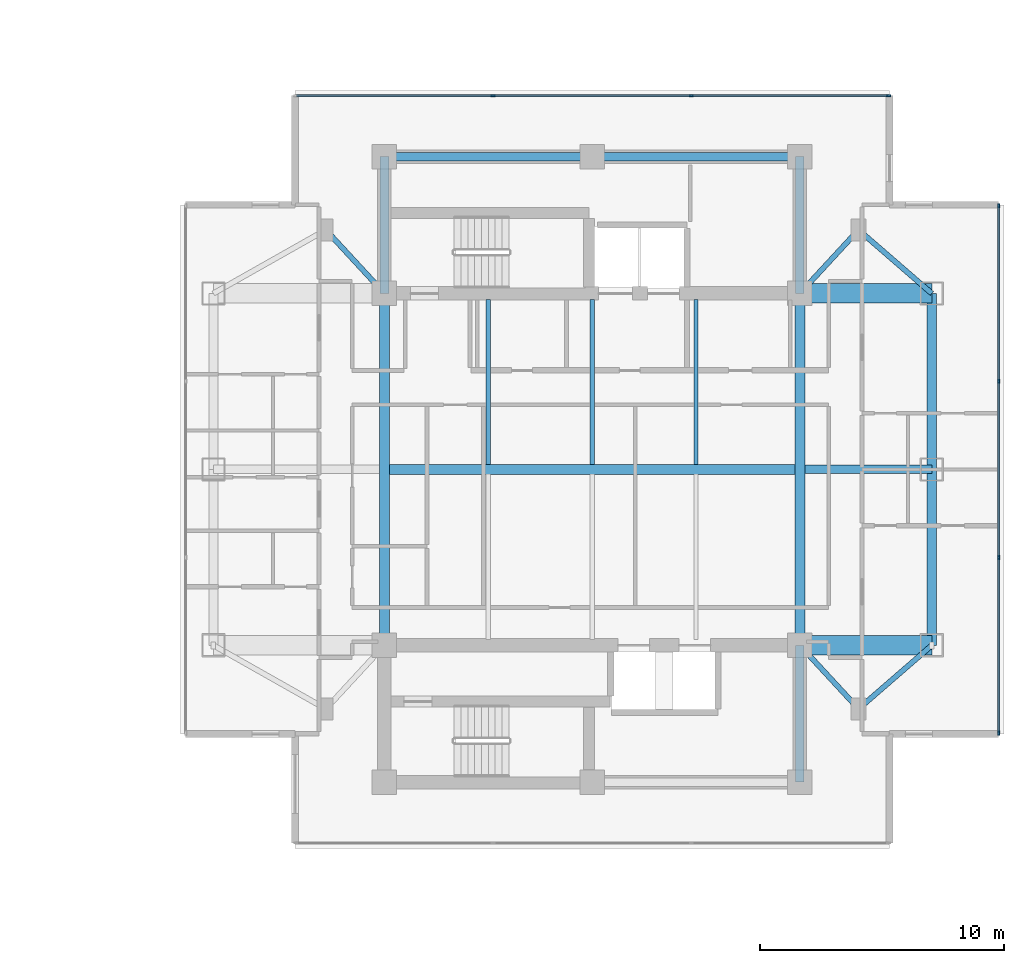
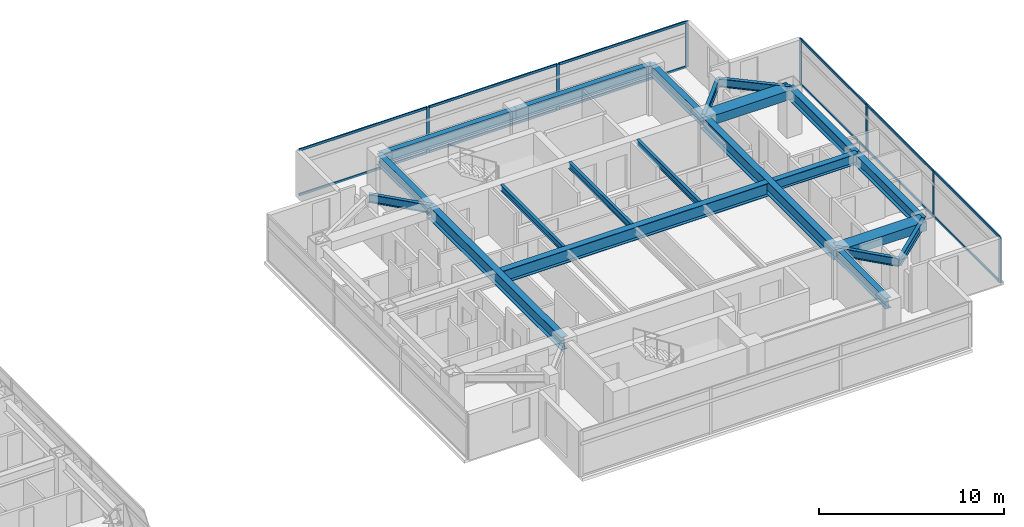
# One storey, part 10 of 24: 21 beams, 19 members, 2 elements without a shape of their own.
"""IFC4 building model written with IfcOpenShell, lengths in metres."""

from ifc_helpers import new_model, si_unit, direction, frame, origin, origin_2d, place, context, subcontext, project, spatial, rectangle, i_section, extrude, material, material_profile, profile_set, type_object, element, aggregate, save


model = new_model("IFC4")

# Units and contexts
model_context = context("Model", 3, precision=1e-05, world=origin(), true_north=direction((0.0, 1.0)))
body_context = subcontext(model_context, "Body", "Model", "MODEL_VIEW")
ifc_project = project(units=[si_unit("LENGTHUNIT", "METRE"), si_unit("AREAUNIT", "SQUARE_METRE"), si_unit("VOLUMEUNIT", "CUBIC_METRE"), si_unit("PLANEANGLEUNIT", "RADIAN"), si_unit("MASSUNIT", "GRAM", prefix="KILO")], contexts=[model_context])

# Site, building, storey
site_placement = place(None, origin())
site = spatial("IfcSite", under=ifc_project, at=site_placement, CompositionType="ELEMENT")
building_placement = place(site_placement, origin())
building = spatial("IfcBuilding", under=site, at=building_placement, Name="Mirazonda Arch Towers", CompositionType="ELEMENT")
storey_placement = place(building_placement, frame((0.0, 0.0, 154.39990234375)))
storey = spatial("IfcBuildingStorey", under=building, at=storey_placement, Name="L43", CompositionType="ELEMENT", Elevation=154.39990234375)

# Beams
ifc_material_1 = material(Name="Steel ASTM A992 Grade 50", Category="steel")
ifc_material_profile_1 = material_profile(ifc_material_1, i_section(OverallWidth=0.381103515625, OverallDepth=0.77294921875, WebThickness=0.0166015625, FlangeThickness=0.027099609375, at=origin_2d()), Name="W30X173")
ifc_profile_set_1 = profile_set([ifc_material_profile_1], Name="Steel ASTM A992 Grade 50")
beam_type_1 = type_object("IfcBeamType", Name="BM-EXT-W30X173", PredefinedType="USERDEFINED", material=ifc_profile_set_1)
for number, where, z_axis, x_axis, name in (
    (1, (90.39990234375, 20.800048828125, 2.66357421875), (0.0, 1.0, 0.0), (-1.0, 0.0, 0.0), "L43 Floor Beam BM-T2-L43-NS-E-20"),
    (2, (90.39990234375, 28.0, 2.66357421875), (0.0, 1.0, 0.0), (-1.0, 0.0, 0.0), "L43 Floor Beam BM-T2-L43-NS-E-28"),
):
    element("IfcBeam", number, at=place(storey_placement, frame(where, z_axis=z_axis, x_axis=x_axis)), inside=storey, type_object=beam_type_1, Name=name, ObjectType="GIRDER", PredefinedType="USERDEFINED", context=body_context, shape_type="SweptSolid", body=[
        extrude(i_section(OverallWidth=0.381103515625, OverallDepth=0.77294921875, WebThickness=0.0166015625, FlangeThickness=0.027099609375, at=origin_2d()), origin(), (0.0, 0.0, 1.0), 7.199951171875),
    ])
ifc_material_profile_2 = material_profile(ifc_material_1, i_section(OverallWidth=0.180908203125, OverallDepth=0.4169921875, WebThickness=0.010986328125, FlangeThickness=0.018310546875, at=origin_2d()), Name="W16X57")
ifc_profile_set_2 = profile_set([ifc_material_profile_2], Name="Steel ASTM A992 Grade 50")
beam_type_2 = type_object("IfcBeamType", Name="BM-INT-W16X57", PredefinedType="JOIST", material=ifc_profile_set_2)
for number, where, z_axis, x_axis, name in (
    (3, (72.25, 28.196044921875, 2.841552734375), (0.0, 1.0, 0.0), (-1.0, 0.0, 0.0), "L43 Floor Beam BM-T2-L43-J-722-28"),
    (4, (76.5, 28.196044921875, 2.841552734375), (0.0, 1.0, 0.0), (-1.0, 0.0, 0.0), "L43 Floor Beam BM-T2-L43-J-765-28"),
    (5, (80.75, 28.196044921875, 2.841552734375), (0.0, 1.0, 0.0), (-1.0, 0.0, 0.0), "L43 Floor Beam BM-T2-L43-J-807-28"),
):
    element("IfcBeam", number, at=place(storey_placement, frame(where, z_axis=z_axis, x_axis=x_axis)), inside=storey, type_object=beam_type_2, Name=name, PredefinedType="JOIST", context=body_context, shape_type="SweptSolid", body=[
        extrude(i_section(OverallWidth=0.180908203125, OverallDepth=0.4169921875, WebThickness=0.010986328125, FlangeThickness=0.018310546875, at=origin_2d()), origin(), (0.0, 0.0, 1.0), 6.763916015625),
    ])
ifc_material_profile_3 = material_profile(ifc_material_1, i_section(OverallWidth=0.214111328125, OverallDepth=0.549072265625, WebThickness=0.0146484375, FlangeThickness=0.023681640625, at=origin_2d()), Name="W21X93")
ifc_profile_set_3 = profile_set([ifc_material_profile_3], Name="Steel ASTM A992 Grade 50")
beam_type_3 = type_object("IfcBeamType", Name="BM-INT-W21X93", PredefinedType="BEAM", material=ifc_profile_set_3)
beam_1_placement = place(storey_placement, frame((87.39990234375, 18.199951171875, 2.775634765625), z_axis=(-0.678251444854, 0.734829897019, 0.0), x_axis=(-0.734829897019, -0.678251444854, 0.0)))
element("IfcBeam", 6, at=beam_1_placement, inside=storey, type_object=beam_type_3, Name="L43 Floor Beam BM-T2-L43-PL-SE1", PredefinedType="BEAM", context=body_context, shape_type="SweptSolid", body=[
    extrude(i_section(OverallWidth=0.214111328125, OverallDepth=0.549072265625, WebThickness=0.0146484375, FlangeThickness=0.023681640625, at=origin_2d()), origin(), (0.0, 0.0, 1.0), 3.538330078125),
])
beam_2_placement = place(storey_placement, frame((87.39990234375, 18.199951171875, 2.775634765625), z_axis=(0.755676908098, 0.654944585876, 0.0), x_axis=(-0.654944585876, 0.755676908098, 0.0)))
element("IfcBeam", 7, at=beam_2_placement, inside=storey, type_object=beam_type_3, Name="L43 Floor Beam BM-T2-L43-PL-SE2", PredefinedType="BEAM", context=body_context, shape_type="SweptSolid", body=[
    extrude(i_section(OverallWidth=0.214111328125, OverallDepth=0.549072265625, WebThickness=0.0146484375, FlangeThickness=0.023681640625, at=origin_2d()), origin(), (0.0, 0.0, 1.0), 3.969970703125),
])
for number, where, z_axis, x_axis, name in (
    (8, (65.60009765625, 37.800048828125, 2.775634765625), (0.678251444854, -0.734829897019, 0.0), (0.734829897019, 0.678251444854, 0.0), "L43 Floor Beam BM-T2-L43-PL-NW1"),
    (9, (87.39990234375, 37.800048828125, 2.775634765625), (-0.678251444854, -0.734829897019, 0.0), (0.734829897019, -0.678251444854, 0.0), "L43 Floor Beam BM-T2-L43-PL-NE1"),
):
    element("IfcBeam", number, at=place(storey_placement, frame(where, z_axis=z_axis, x_axis=x_axis)), inside=storey, type_object=beam_type_3, Name=name, PredefinedType="BEAM", context=body_context, shape_type="SweptSolid", body=[
        extrude(i_section(OverallWidth=0.214111328125, OverallDepth=0.549072265625, WebThickness=0.0146484375, FlangeThickness=0.023681640625, at=origin_2d()), origin(), (0.0, 0.0, 1.0), 3.538330078125),
    ])
beam_3_placement = place(storey_placement, frame((87.39990234375, 37.800048828125, 2.775634765625), z_axis=(0.755676908098, -0.654944585876, 0.0), x_axis=(0.654944585876, 0.755676908098, 0.0)))
element("IfcBeam", 10, at=beam_3_placement, inside=storey, type_object=beam_type_3, Name="L43 Floor Beam BM-T2-L43-PL-NE2", PredefinedType="BEAM", context=body_context, shape_type="SweptSolid", body=[
    extrude(i_section(OverallWidth=0.214111328125, OverallDepth=0.549072265625, WebThickness=0.0146484375, FlangeThickness=0.023681640625, at=origin_2d()), origin(), (0.0, 0.0, 1.0), 3.969970703125),
])
ifc_material_profile_4 = material_profile(ifc_material_1, i_section(OverallWidth=0.35498046875, OverallDepth=0.696044921875, WebThickness=0.015380859375, FlangeThickness=0.02490234375, at=origin_2d()), Name="W27X146")
ifc_profile_set_4 = profile_set([ifc_material_profile_4], Name="Steel ASTM A992 Grade 50")
beam_type_4 = type_object("IfcBeamType", Name="BM-INT-W27X146", PredefinedType="BEAM", material=ifc_profile_set_4)
for number, where, z_axis, x_axis, name in (
    (11, (68.0, 40.800048828125, 2.7021484375), (1.0, 0.0, 0.0), (0.0, 1.0, 0.0), "L43 Floor Beam BM-T2-L43-CN1"),
    (12, (76.5, 40.800048828125, 2.7021484375), (1.0, 0.0, 0.0), (0.0, 1.0, 0.0), "L43 Floor Beam BM-T2-L43-CN2"),
):
    element("IfcBeam", number, at=place(storey_placement, frame(where, z_axis=z_axis, x_axis=x_axis)), inside=storey, type_object=beam_type_4, Name=name, PredefinedType="BEAM", context=body_context, shape_type="SweptSolid", body=[
        extrude(i_section(OverallWidth=0.35498046875, OverallDepth=0.696044921875, WebThickness=0.015380859375, FlangeThickness=0.02490234375, at=origin_2d()), origin(), (0.0, 0.0, 1.0), 8.5),
    ])
for number, where, z_axis, x_axis, name in (
    (13, (85.0, 15.199951171875, 2.7021484375), (0.0, 1.0, 0.0), (-1.0, 0.0, 0.0), "L43 Floor Beam BM-T2-L43-CSE"),
    (14, (68.0, 35.199951171875, 2.7021484375), (0.0, 1.0, 0.0), (-1.0, 0.0, 0.0), "L43 Floor Beam BM-T2-L43-CNW"),
    (15, (85.0, 35.199951171875, 2.7021484375), (0.0, 1.0, 0.0), (-1.0, 0.0, 0.0), "L43 Floor Beam BM-T2-L43-CNE"),
):
    element("IfcBeam", number, at=place(storey_placement, frame(where, z_axis=z_axis, x_axis=x_axis)), inside=storey, type_object=beam_type_4, Name=name, PredefinedType="BEAM", context=body_context, shape_type="SweptSolid", body=[
        extrude(i_section(OverallWidth=0.35498046875, OverallDepth=0.696044921875, WebThickness=0.015380859375, FlangeThickness=0.02490234375, at=origin_2d()), origin(), (0.0, 0.0, 1.0), 5.60009765625),
    ])
beam_4_placement = place(storey_placement, frame((85.199951171875, 28.0, 2.7021484375), z_axis=(1.0, 0.0, 0.0), x_axis=(0.0, 1.0, 0.0)))
element("IfcBeam", 16, at=beam_4_placement, inside=storey, type_object=beam_type_4, Name="L43 Floor Beam BM-T2-L43-GE2", PredefinedType="BEAM", context=body_context, shape_type="SweptSolid", body=[
    extrude(i_section(OverallWidth=0.35498046875, OverallDepth=0.696044921875, WebThickness=0.015380859375, FlangeThickness=0.02490234375, at=origin_2d()), origin(), (0.0, 0.0, 1.0), 5.199951171875),
])
ifc_material_profile_5 = material_profile(ifc_material_1, i_section(OverallWidth=0.39990234375, OverallDepth=0.85595703125, WebThickness=0.018310546875, FlangeThickness=0.029296875, at=origin_2d()), Name="W33X201")
ifc_profile_set_5 = profile_set([ifc_material_profile_5], Name="Steel ASTM A992 Grade 50")
beam_type_5 = type_object("IfcBeamType", Name="BM-INT-W33X201", PredefinedType="USERDEFINED", material=ifc_profile_set_5)
beam_5_placement = place(storey_placement, frame((68.199951171875, 28.0, 2.6220703125), z_axis=(1.0, 0.0, 0.0), x_axis=(0.0, 1.0, 0.0)))
element("IfcBeam", 17, at=beam_5_placement, inside=storey, type_object=beam_type_5, Name="L43 Floor Beam BM-T2-L43-GC2", ObjectType="GIRDER", PredefinedType="USERDEFINED", context=body_context, shape_type="SweptSolid", body=[
    extrude(i_section(OverallWidth=0.39990234375, OverallDepth=0.85595703125, WebThickness=0.018310546875, FlangeThickness=0.029296875, at=origin_2d()), origin(), (0.0, 0.0, 1.0), 16.60009765625),
])
for number, where, z_axis, x_axis, name in (
    (18, (68.0, 20.800048828125, 2.6220703125), (0.0, 1.0, 0.0), (-1.0, 0.0, 0.0), "L43 Floor Beam BM-T2-L43-NS-CW-FULL"),
    (19, (85.0, 20.800048828125, 2.6220703125), (0.0, 1.0, 0.0), (-1.0, 0.0, 0.0), "L43 Floor Beam BM-T2-L43-NS-CE-FULL"),
):
    element("IfcBeam", number, at=place(storey_placement, frame(where, z_axis=z_axis, x_axis=x_axis)), inside=storey, type_object=beam_type_5, Name=name, ObjectType="GIRDER", PredefinedType="USERDEFINED", context=body_context, shape_type="SweptSolid", body=[
        extrude(i_section(OverallWidth=0.39990234375, OverallDepth=0.85595703125, WebThickness=0.018310546875, FlangeThickness=0.029296875, at=origin_2d()), origin(), (0.0, 0.0, 1.0), 14.39990234375),
    ])
ifc_material_2 = material(Name="Concrete C60/75", Category="concrete")
ifc_material_profile_6 = material_profile(ifc_material_2, rectangle(XDim=0.800048828125, YDim=0.60009765625, at=origin_2d()), Name="RCCB800x600")
ifc_profile_set_6 = profile_set([ifc_material_profile_6], Name="Concrete C60/75")
beam_type_6 = type_object("IfcBeamType", Name="CB-INT-RCCB800x600", PredefinedType="SPANDREL", material=ifc_profile_set_6)
for number, where, z_axis, x_axis, name in (
    (20, (85.0, 35.199951171875, 2.75), (1.0, 0.0, 0.0), (0.0, 1.0, 0.0), "L43 Floor Beam CBC-T2-L43-NE"),
    (21, (85.0, 20.800048828125, 2.75), (1.0, 0.0, 0.0), (0.0, 1.0, 0.0), "L43 Floor Beam CBC-T2-L43-SE"),
):
    element("IfcBeam", number, at=place(storey_placement, frame(where, z_axis=z_axis, x_axis=x_axis)), inside=storey, type_object=beam_type_6, Name=name, PredefinedType="SPANDREL", context=body_context, shape_type="SweptSolid", body=[
        extrude(rectangle(XDim=0.800048828125, YDim=0.60009765625, at=origin_2d()), origin(), (0.0, 0.0, 1.0), 5.39990234375),
    ])

# Curtain wall, members
ifc_material_3 = material(Name="Anodised Aluminium and Low-E Glass", Category="aluminium")
curtain_wall_type = type_object("IfcCurtainWallType", Name="CW-RES-UNIT", PredefinedType="NOTDEFINED", material=ifc_material_3)
curtain_wall_1_placement = place(storey_placement, origin())
curtain_wall_1 = element("IfcCurtainWall", 22, at=curtain_wall_1_placement, inside=storey, type_object=curtain_wall_type, Name="L43 T2 E Facade CW-L43-T2-E", PredefinedType="NOTDEFINED")
ifc_material_4 = material(Name="Anodised Aluminium Alloy", Category="aluminium")
ifc_material_profile_7 = material_profile(ifc_material_4, rectangle(XDim=0.074951171875, YDim=0.175048828125, at=origin_2d()), Name="ALU-MULL-75x175")
ifc_profile_set_7 = profile_set([ifc_material_profile_7], Name="Anodised Aluminium Alloy")
member_type_1 = type_object("IfcMemberType", Name="MULL-CW-RES-UNIT", PredefinedType="MULLION", material=ifc_profile_set_7)
member_1_placement = place(storey_placement, frame((93.132568359375, 17.211181640625, 0.0), z_axis=(0.0, 0.0, 1.0), x_axis=(-1.0, 0.0, 0.0)))
member_1 = element("IfcMember", 23, at=member_1_placement, type_object=member_type_1, Name="CW-104 mullion 1", PredefinedType="MULLION", context=body_context, shape_type="SweptSolid", body=[
    extrude(rectangle(XDim=0.074951171875, YDim=0.175048828125, at=origin_2d()), origin(), (0.0, 0.0, 1.0), 3.030029296875),
])
member_2_placement = place(storey_placement, frame((93.132568359375, 24.39111328125, 0.0), z_axis=(0.0, 0.0, 1.0), x_axis=(-1.0, 0.0, 0.0)))
member_2 = element("IfcMember", 24, at=member_2_placement, type_object=member_type_1, Name="CW-104 mullion 2", PredefinedType="MULLION", context=body_context, shape_type="SweptSolid", body=[
    extrude(rectangle(XDim=0.074951171875, YDim=0.175048828125, at=origin_2d()), origin(), (0.0, 0.0, 1.0), 3.030029296875),
])
member_3_placement = place(storey_placement, frame((93.132568359375, 31.60888671875, 0.0), z_axis=(0.0, 0.0, 1.0), x_axis=(-1.0, 0.0, 0.0)))
member_3 = element("IfcMember", 25, at=member_3_placement, type_object=member_type_1, Name="CW-104 mullion 3", PredefinedType="MULLION", context=body_context, shape_type="SweptSolid", body=[
    extrude(rectangle(XDim=0.074951171875, YDim=0.175048828125, at=origin_2d()), origin(), (0.0, 0.0, 1.0), 3.030029296875),
])
member_4_placement = place(storey_placement, frame((93.132568359375, 38.788818359375, 0.0), z_axis=(0.0, 0.0, 1.0), x_axis=(-1.0, 0.0, 0.0)))
member_4 = element("IfcMember", 26, at=member_4_placement, type_object=member_type_1, Name="CW-104 mullion 4", PredefinedType="MULLION", context=body_context, shape_type="SweptSolid", body=[
    extrude(rectangle(XDim=0.074951171875, YDim=0.175048828125, at=origin_2d()), origin(), (0.0, 0.0, 1.0), 3.030029296875),
])

curtain_wall_2_placement = place(storey_placement, origin())
curtain_wall_2 = element("IfcCurtainWall", 27, at=curtain_wall_2_placement, inside=storey, type_object=curtain_wall_type, Name="L43 T2 N Facade CW-L43-T2-N", PredefinedType="NOTDEFINED")
member_5_placement = place(storey_placement, frame((72.4443359375, 43.29150390625, 0.0), z_axis=(0.0, 0.0, 1.0), x_axis=(0.0, 1.0, 0.0)))
member_5 = element("IfcMember", 28, at=member_5_placement, type_object=member_type_1, Name="CW-104 mullion 2", PredefinedType="MULLION", context=body_context, shape_type="SweptSolid", body=[
    extrude(rectangle(XDim=0.074951171875, YDim=0.175048828125, at=origin_2d()), origin(), (0.0, 0.0, 1.0), 3.030029296875),
])
member_6_placement = place(storey_placement, frame((80.5556640625, 43.29150390625, 0.0), z_axis=(0.0, 0.0, 1.0), x_axis=(0.0, 1.0, 0.0)))
member_6 = element("IfcMember", 29, at=member_6_placement, type_object=member_type_1, Name="CW-104 mullion 3", PredefinedType="MULLION", context=body_context, shape_type="SweptSolid", body=[
    extrude(rectangle(XDim=0.074951171875, YDim=0.175048828125, at=origin_2d()), origin(), (0.0, 0.0, 1.0), 3.030029296875),
])
member_7_placement = place(storey_placement, frame((88.6298828125, 43.29150390625, 0.0), z_axis=(0.0, 0.0, 1.0), x_axis=(0.0, 1.0, 0.0)))
member_7 = element("IfcMember", 30, at=member_7_placement, type_object=member_type_1, Name="CW-104 mullion 4", PredefinedType="MULLION", context=body_context, shape_type="SweptSolid", body=[
    extrude(rectangle(XDim=0.074951171875, YDim=0.175048828125, at=origin_2d()), origin(), (0.0, 0.0, 1.0), 3.030029296875),
])

# Member
ifc_material_profile_8 = material_profile(ifc_material_4, rectangle(XDim=0.074951171875, YDim=0.155029296875, at=origin_2d()), Name="ALU-TRAN-75x155")
ifc_profile_set_8 = profile_set([ifc_material_profile_8], Name="Anodised Aluminium Alloy")
member_type_2 = type_object("IfcMemberType", Name="TRAN-CW-RES-UNIT", PredefinedType="USERDEFINED", material=ifc_profile_set_8)
member_8_placement = place(storey_placement, frame((93.132568359375, 17.248779296875, 0.03759765625), z_axis=(0.0, 1.0, 0.0), x_axis=(-1.0, 0.0, 0.0)))
member_8 = element("IfcMember", 31, at=member_8_placement, type_object=member_type_2, Name="CW-104 transom 1.1", ObjectType="TRANSOM", PredefinedType="USERDEFINED", context=body_context, shape_type="SweptSolid", body=[
    extrude(rectangle(XDim=0.074951171875, YDim=0.155029296875, at=origin_2d()), origin(), (0.0, 0.0, 1.0), 7.10498046875),
])

member_9_placement = place(storey_placement, frame((93.132568359375, 17.248779296875, 2.99267578125), z_axis=(0.0, 1.0, 0.0), x_axis=(-1.0, 0.0, 0.0)))
member_9 = element("IfcMember", 32, at=member_9_placement, type_object=member_type_2, Name="CW-104 transom 1.2", ObjectType="TRANSOM", PredefinedType="USERDEFINED", context=body_context, shape_type="SweptSolid", body=[
    extrude(rectangle(XDim=0.074951171875, YDim=0.155029296875, at=origin_2d()), origin(), (0.0, 0.0, 1.0), 7.10498046875),
])

member_10_placement = place(storey_placement, frame((93.132568359375, 24.4287109375, 0.03759765625), z_axis=(0.0, 1.0, 0.0), x_axis=(-1.0, 0.0, 0.0)))
member_10 = element("IfcMember", 33, at=member_10_placement, type_object=member_type_2, Name="CW-104 transom 2.1", ObjectType="TRANSOM", PredefinedType="USERDEFINED", context=body_context, shape_type="SweptSolid", body=[
    extrude(rectangle(XDim=0.074951171875, YDim=0.155029296875, at=origin_2d()), origin(), (0.0, 0.0, 1.0), 7.142578125),
])

member_11_placement = place(storey_placement, frame((93.132568359375, 24.4287109375, 2.99267578125), z_axis=(0.0, 1.0, 0.0), x_axis=(-1.0, 0.0, 0.0)))
member_11 = element("IfcMember", 34, at=member_11_placement, type_object=member_type_2, Name="CW-104 transom 2.2", ObjectType="TRANSOM", PredefinedType="USERDEFINED", context=body_context, shape_type="SweptSolid", body=[
    extrude(rectangle(XDim=0.074951171875, YDim=0.155029296875, at=origin_2d()), origin(), (0.0, 0.0, 1.0), 7.142578125),
])

member_12_placement = place(storey_placement, frame((93.132568359375, 31.646240234375, 0.03759765625), z_axis=(0.0, 1.0, 0.0), x_axis=(-1.0, 0.0, 0.0)))
member_12 = element("IfcMember", 35, at=member_12_placement, type_object=member_type_2, Name="CW-104 transom 3.1", ObjectType="TRANSOM", PredefinedType="USERDEFINED", context=body_context, shape_type="SweptSolid", body=[
    extrude(rectangle(XDim=0.074951171875, YDim=0.155029296875, at=origin_2d()), origin(), (0.0, 0.0, 1.0), 7.10498046875),
])

member_13_placement = place(storey_placement, frame((93.132568359375, 31.646240234375, 2.99267578125), z_axis=(0.0, 1.0, 0.0), x_axis=(-1.0, 0.0, 0.0)))
member_13 = element("IfcMember", 36, at=member_13_placement, type_object=member_type_2, Name="CW-104 transom 3.2", ObjectType="TRANSOM", PredefinedType="USERDEFINED", context=body_context, shape_type="SweptSolid", body=[
    extrude(rectangle(XDim=0.074951171875, YDim=0.155029296875, at=origin_2d()), origin(), (0.0, 0.0, 1.0), 7.10498046875),
])

aggregate(curtain_wall_1, [member_1, member_2, member_3, member_4, member_8, member_9, member_10, member_11, member_12, member_13])

member_14_placement = place(storey_placement, frame((64.40771484375, 43.29150390625, 0.03759765625), z_axis=(1.0, 0.0, 0.0), x_axis=(0.0, 1.0, 0.0)))
member_14 = element("IfcMember", 37, at=member_14_placement, type_object=member_type_2, Name="CW-104 transom 1.1", ObjectType="TRANSOM", PredefinedType="USERDEFINED", context=body_context, shape_type="SweptSolid", body=[
    extrude(rectangle(XDim=0.074951171875, YDim=0.155029296875, at=origin_2d()), origin(), (0.0, 0.0, 1.0), 7.9990234375),
])

member_15_placement = place(storey_placement, frame((64.40771484375, 43.29150390625, 2.99267578125), z_axis=(1.0, 0.0, 0.0), x_axis=(0.0, 1.0, 0.0)))
member_15 = element("IfcMember", 38, at=member_15_placement, type_object=member_type_2, Name="CW-104 transom 1.2", ObjectType="TRANSOM", PredefinedType="USERDEFINED", context=body_context, shape_type="SweptSolid", body=[
    extrude(rectangle(XDim=0.074951171875, YDim=0.155029296875, at=origin_2d()), origin(), (0.0, 0.0, 1.0), 7.9990234375),
])

member_16_placement = place(storey_placement, frame((72.481689453125, 43.29150390625, 0.03759765625), z_axis=(1.0, 0.0, 0.0), x_axis=(0.0, 1.0, 0.0)))
member_16 = element("IfcMember", 39, at=member_16_placement, type_object=member_type_2, Name="CW-104 transom 2.1", ObjectType="TRANSOM", PredefinedType="USERDEFINED", context=body_context, shape_type="SweptSolid", body=[
    extrude(rectangle(XDim=0.074951171875, YDim=0.155029296875, at=origin_2d()), origin(), (0.0, 0.0, 1.0), 8.03662109375),
])

member_17_placement = place(storey_placement, frame((72.481689453125, 43.29150390625, 2.99267578125), z_axis=(1.0, 0.0, 0.0), x_axis=(0.0, 1.0, 0.0)))
member_17 = element("IfcMember", 40, at=member_17_placement, type_object=member_type_2, Name="CW-104 transom 2.2", ObjectType="TRANSOM", PredefinedType="USERDEFINED", context=body_context, shape_type="SweptSolid", body=[
    extrude(rectangle(XDim=0.074951171875, YDim=0.155029296875, at=origin_2d()), origin(), (0.0, 0.0, 1.0), 8.03662109375),
])

member_18_placement = place(storey_placement, frame((80.59326171875, 43.29150390625, 0.03759765625), z_axis=(1.0, 0.0, 0.0), x_axis=(0.0, 1.0, 0.0)))
member_18 = element("IfcMember", 41, at=member_18_placement, type_object=member_type_2, Name="CW-104 transom 3.1", ObjectType="TRANSOM", PredefinedType="USERDEFINED", context=body_context, shape_type="SweptSolid", body=[
    extrude(rectangle(XDim=0.074951171875, YDim=0.155029296875, at=origin_2d()), origin(), (0.0, 0.0, 1.0), 7.9990234375),
])

member_19_placement = place(storey_placement, frame((80.59326171875, 43.29150390625, 2.99267578125), z_axis=(1.0, 0.0, 0.0), x_axis=(0.0, 1.0, 0.0)))
member_19 = element("IfcMember", 42, at=member_19_placement, type_object=member_type_2, Name="CW-104 transom 3.2", ObjectType="TRANSOM", PredefinedType="USERDEFINED", context=body_context, shape_type="SweptSolid", body=[
    extrude(rectangle(XDim=0.074951171875, YDim=0.155029296875, at=origin_2d()), origin(), (0.0, 0.0, 1.0), 7.9990234375),
])

aggregate(curtain_wall_2, [member_5, member_6, member_7, member_14, member_15, member_16, member_17, member_18, member_19])

save(model, "model.ifc")
